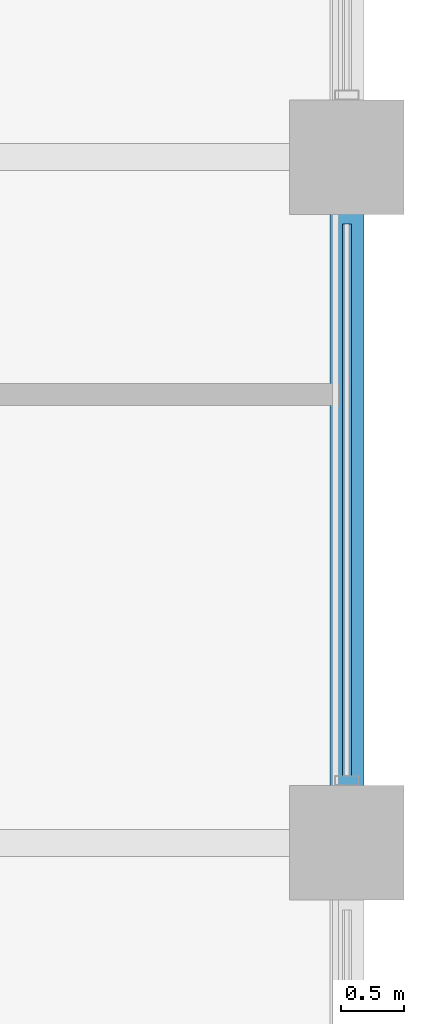
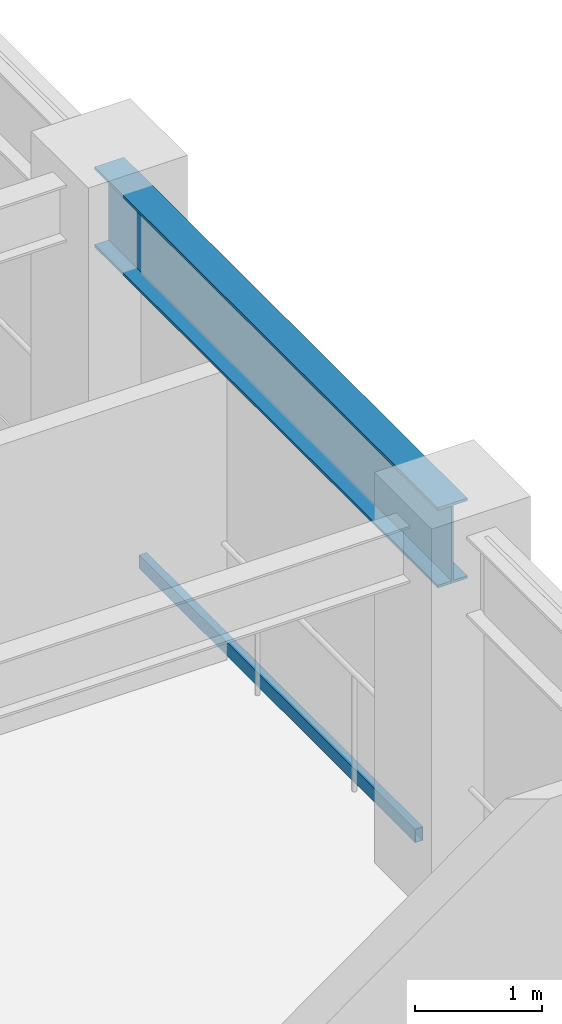
# One storey, part 14 of 36: 1 beam, 1 member, 1 element without a shape of its own.
"""IFC4 building model written with IfcOpenShell, lengths in metres."""

from ifc_helpers import new_model, si_unit, direction, frame, origin, origin_2d, place, context, subcontext, project, spatial, hollow_rectangle, i_section, extrude, material, layer, layer_set, material_profile, profile_set, type_object, element, aggregate, save


model = new_model("IFC4")

# Units and contexts
model_context = context("Model", 3, precision=1e-05, world=origin(), true_north=direction((0.0, 1.0)))
body_context = subcontext(model_context, "Body", "Model", "MODEL_VIEW")
ifc_project = project(units=[si_unit("LENGTHUNIT", "METRE"), si_unit("AREAUNIT", "SQUARE_METRE"), si_unit("VOLUMEUNIT", "CUBIC_METRE"), si_unit("PLANEANGLEUNIT", "RADIAN"), si_unit("MASSUNIT", "GRAM", prefix="KILO")], contexts=[model_context])

# Site, building, storey
site_placement = place(None, origin())
site = spatial("IfcSite", under=ifc_project, at=site_placement, CompositionType="ELEMENT")
building_placement = place(site_placement, origin())
building = spatial("IfcBuilding", under=site, at=building_placement, Name="Surkhivell Harbour Commons", CompositionType="ELEMENT")
storey_placement = place(building_placement, frame((0.0, 0.0, 171.0)))
storey = spatial("IfcBuildingStorey", under=building, at=storey_placement, Name="L44", CompositionType="ELEMENT", Elevation=171.0)

# Beam
ifc_material_1 = material(Name="Steel S355", Category="steel")
ifc_material_profile_1 = material_profile(ifc_material_1, i_section(OverallWidth=0.26806640625, OverallDepth=0.77001953125, WebThickness=0.015625, FlangeThickness=0.025390625, at=origin_2d()), Name="UB762x267x197")
ifc_profile_set_1 = profile_set([ifc_material_profile_1], Name="Steel S355")
beam_type = type_object("IfcBeamType", Name="BM-SPN-762", PredefinedType="SPANDREL", material=ifc_profile_set_1)
beam_placement = place(storey_placement, frame((21.60009765625, 5.39990234375, 3.18505859375), z_axis=(0.0, 1.0, 0.0), x_axis=(-1.0, 0.0, 0.0)))
element("IfcBeam", 1, at=beam_placement, inside=storey, type_object=beam_type, Name="L44 Tube Spandrel (21.6,5.4)", PredefinedType="SPANDREL", context=body_context, shape_type="SweptSolid", body=[
    extrude(i_section(OverallWidth=0.26806640625, OverallDepth=0.77001953125, WebThickness=0.015625, FlangeThickness=0.025390625, at=origin_2d()), origin(), (0.0, 0.0, 1.0), 5.400146484375),
])

# Curtain wall, member
ifc_material_2 = material(Name="Anodised pale-metal aluminium and insulated glazing", Category="aluminium")
ifc_layer = layer(ifc_material_2, 0.18994140625)
ifc_layer_set = layer_set([ifc_layer], Name="Anodised pale-metal aluminium and insulated glazing")
curtain_wall_type = type_object("IfcCurtainWallType", Name="CW-SYS-Z3", PredefinedType="NOTDEFINED", material=ifc_layer_set)
curtain_wall_placement = place(storey_placement, origin())
curtain_wall = element("IfcCurtainWall", 2, at=curtain_wall_placement, inside=storey, type_object=curtain_wall_type, Name="L44 Curtain Wall CW-L44-E02", PredefinedType="NOTDEFINED")
ifc_material_3 = material(Name="Champagne anodised aluminium alloy 6063-T6", Category="aluminium")
ifc_material_profile_2 = material_profile(ifc_material_3, hollow_rectangle(XDim=0.070068359375, YDim=0.1298828125, WallThickness=0.00341796875, at=origin_2d()), Name="ALU-TRAN-70x130")
ifc_profile_set_2 = profile_set([ifc_material_profile_2], Name="Champagne anodised aluminium alloy 6063-T6")
member_type = type_object("IfcMemberType", Name="CWT-130", PredefinedType="USERDEFINED", material=ifc_profile_set_2)
member_placement = place(storey_placement, frame((21.60009765625, 5.927001953125, 0.06494140625), z_axis=(0.0, 1.0, 0.0), x_axis=(-1.0, 0.0, 0.0)))
member = element("IfcMember", 3, at=member_placement, type_object=member_type, Name="CW-Z3 transom 3.1", ObjectType="TRANSOM", PredefinedType="USERDEFINED", context=body_context, shape_type="SweptSolid", body=[
    extrude(hollow_rectangle(XDim=0.070068359375, YDim=0.1298828125, WallThickness=0.00341796875, at=origin_2d()), origin(), (0.0, 0.0, 1.0), 4.345947265625),
])
aggregate(curtain_wall, [member])

save(model, "model.ifc")
